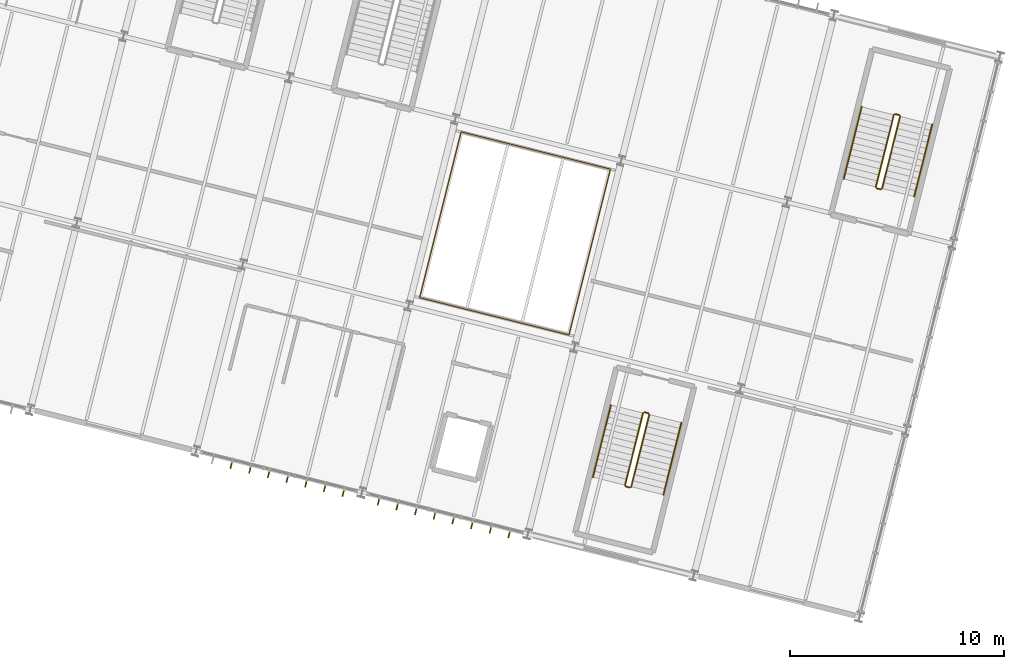
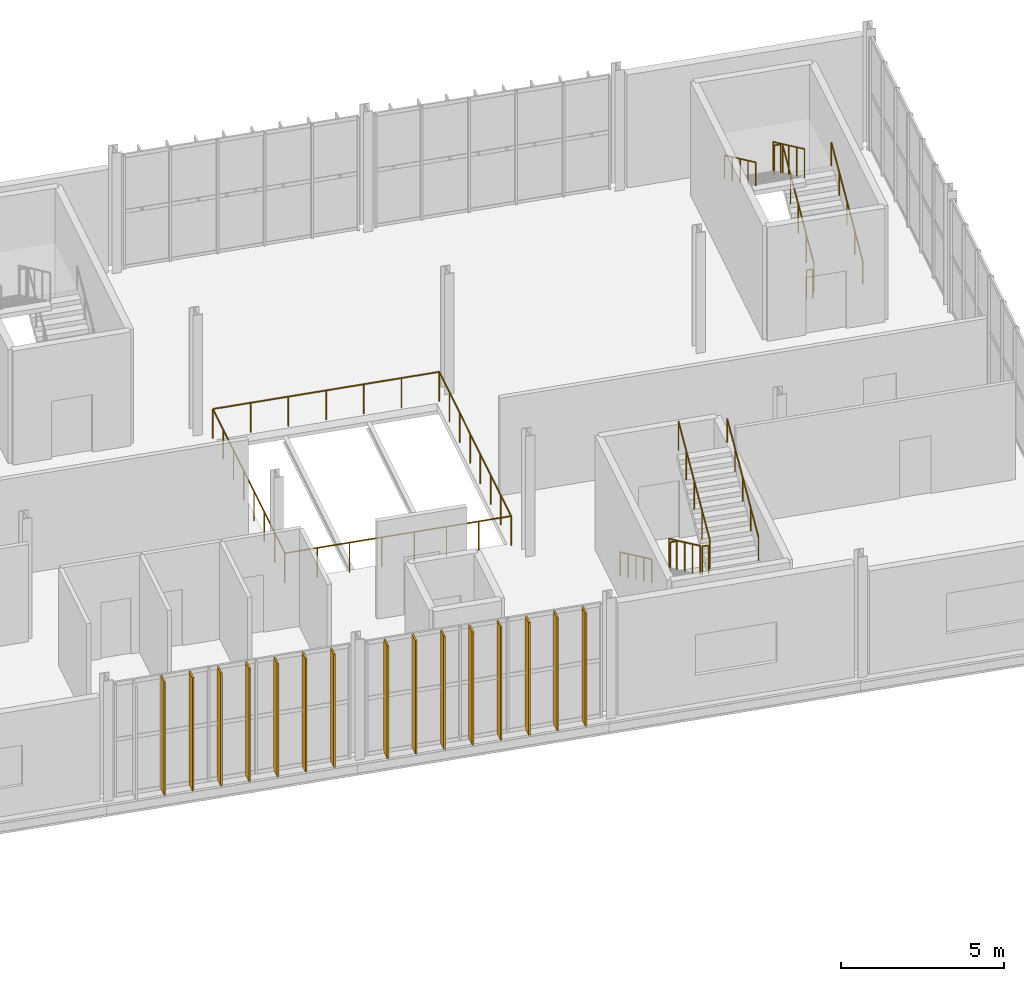
# One storey, part 151 of 152: 15 shading devices, 13 railings.
"""IFC4 building model written with IfcOpenShell, lengths in metres."""

from ifc_helpers import new_model, si_unit, derived_unit, direction, frame, origin, origin_2d, place, context, subcontext, project, spatial, rectangle, circle, extrude, material, layer, layer_set, type_object, element, save


model = new_model("IFC4")

# Units and contexts
model_context = context("Model", 3, precision=1e-05, world=origin(), true_north=direction((0.0, 1.0)))
body_context = subcontext(model_context, "Body", "Model", "MODEL_VIEW")
ifc_project = project(units=[si_unit("LENGTHUNIT", "METRE"), si_unit("AREAUNIT", "SQUARE_METRE"), si_unit("VOLUMEUNIT", "CUBIC_METRE"), si_unit("PLANEANGLEUNIT", "RADIAN"), si_unit("MASSUNIT", "GRAM", prefix="KILO"), si_unit("THERMODYNAMICTEMPERATUREUNIT", "KELVIN"), si_unit("TIMEUNIT", "SECOND"), derived_unit("THERMALTRANSMITTANCEUNIT", [(si_unit("MASSUNIT", "GRAM", prefix="KILO"), 1), (si_unit("THERMODYNAMICTEMPERATUREUNIT", "KELVIN"), -1), (si_unit("TIMEUNIT", "SECOND"), -3)])], contexts=[model_context])

# Site, building, storey
site_placement = place(None, origin())
site = spatial("IfcSite", under=ifc_project, at=site_placement, CompositionType="ELEMENT")
building_placement = place(site_placement, origin())
building = spatial("IfcBuilding", under=site, at=building_placement, Name="Cambertide Market Hall", CompositionType="ELEMENT")
storey_placement = place(building_placement, frame((0.0, 0.0, 5.39990234375)))
storey = spatial("IfcBuildingStorey", under=building, at=storey_placement, Name="L02", CompositionType="ELEMENT", Elevation=5.39990234375)

# Railings
ifc_material_1 = material(Name="Stainless Steel Grade 316", Category="metal")
railing_type_1 = type_object("IfcRailingType", Name="Interior Atrium & Void Guardrail 1120", PredefinedType="GUARDRAIL", material=ifc_material_1)
railing_1_placement = place(storey_placement, frame((149.497802734375, 99.41796875, 0.0)))
element("IfcRailing", 1, at=railing_1_placement, inside=storey, type_object=railing_type_1, Name="Level 2 V4 Atrium Void Guardrail", PredefinedType="GUARDRAIL", context=body_context, shape_type="SweptSolid", body=[
    extrude(circle(Radius=0.02392578125, at=origin_2d()), frame((0.0, 0.0, 1.09619140625), z_axis=(0.970140505527, -0.242543603371, 0.0), x_axis=(0.242543603371, 0.970140505527, 0.0)), (0.0, 0.0, 1.0), 7.2001953125),
    extrude(circle(Radius=0.02392578125, at=origin_2d()), frame((6.985107421875, -1.746337890625, 1.09619140625), z_axis=(0.242521263911, 0.970146090314, 0.0), x_axis=(-0.970146090314, 0.242521263911, 0.0)), (0.0, 0.0, 1.0), 8.0),
    extrude(circle(Radius=0.02392578125, at=origin_2d()), frame((8.92529296875, 6.014892578125, 1.09619140625), z_axis=(-0.970146489349, 0.242519667663, 0.0), x_axis=(-0.242519667663, -0.970146489349, 0.0)), (0.0, 0.0, 1.0), 7.19970703125),
    extrude(circle(Radius=0.02392578125, at=origin_2d()), frame((1.9404296875, 7.760986328125, 1.09619140625), z_axis=(-0.242557167103, -0.970137114374, 0.0), x_axis=(0.970137114374, -0.242557167103, 0.0)), (0.0, 0.0, 1.0), 8.0),
    extrude(circle(Radius=0.02099609375, at=origin_2d()), origin(), (0.0, 0.0, 1.0), 1.072021484375),
    extrude(circle(Radius=0.02099609375, at=origin_2d()), frame((0.997802734375, -0.24951171875, 0.0)), (0.0, 0.0, 1.0), 1.072021484375),
    extrude(circle(Radius=0.02099609375, at=origin_2d()), frame((1.995849609375, -0.4990234375, 0.0)), (0.0, 0.0, 1.0), 1.072021484375),
    extrude(circle(Radius=0.02099609375, at=origin_2d()), frame((2.99365234375, -0.74853515625, 0.0)), (0.0, 0.0, 1.0), 1.072021484375),
    extrude(circle(Radius=0.02099609375, at=origin_2d()), frame((3.991455078125, -0.997802734375, 0.0)), (0.0, 0.0, 1.0), 1.072021484375),
    extrude(circle(Radius=0.02099609375, at=origin_2d()), frame((4.9892578125, -1.247314453125, 0.0)), (0.0, 0.0, 1.0), 1.072021484375),
    extrude(circle(Radius=0.02099609375, at=origin_2d()), frame((5.9873046875, -1.496826171875, 0.0)), (0.0, 0.0, 1.0), 1.072021484375),
    extrude(circle(Radius=0.02099609375, at=origin_2d()), frame((6.985107421875, -1.746337890625, 0.0)), (0.0, 0.0, 1.0), 1.072021484375),
    extrude(circle(Radius=0.02099609375, at=origin_2d()), frame((7.26220703125, -0.6376953125, 0.0)), (0.0, 0.0, 1.0), 1.072021484375),
    extrude(circle(Radius=0.02099609375, at=origin_2d()), frame((7.53955078125, 0.47119140625, 0.0)), (0.0, 0.0, 1.0), 1.072021484375),
    extrude(circle(Radius=0.02099609375, at=origin_2d()), frame((7.816650390625, 1.579833984375, 0.0)), (0.0, 0.0, 1.0), 1.072021484375),
    extrude(circle(Radius=0.02099609375, at=origin_2d()), frame((8.09375, 2.688720703125, 0.0)), (0.0, 0.0, 1.0), 1.072021484375),
    extrude(circle(Radius=0.02099609375, at=origin_2d()), frame((8.370849609375, 3.79736328125, 0.0)), (0.0, 0.0, 1.0), 1.072021484375),
    extrude(circle(Radius=0.02099609375, at=origin_2d()), frame((8.648193359375, 4.90625, 0.0)), (0.0, 0.0, 1.0), 1.072021484375),
    extrude(circle(Radius=0.02099609375, at=origin_2d()), frame((8.92529296875, 6.014892578125, 0.0)), (0.0, 0.0, 1.0), 1.072021484375),
    extrude(circle(Radius=0.02099609375, at=origin_2d()), frame((7.76123046875, 6.305908203125, 0.0)), (0.0, 0.0, 1.0), 1.072021484375),
    extrude(circle(Radius=0.02099609375, at=origin_2d()), frame((6.596923828125, 6.596923828125, 0.0)), (0.0, 0.0, 1.0), 1.072021484375),
    extrude(circle(Radius=0.02099609375, at=origin_2d()), frame((5.432861328125, 6.887939453125, 0.0)), (0.0, 0.0, 1.0), 1.072021484375),
    extrude(circle(Radius=0.02099609375, at=origin_2d()), frame((4.268798828125, 7.178955078125, 0.0)), (0.0, 0.0, 1.0), 1.072021484375),
    extrude(circle(Radius=0.02099609375, at=origin_2d()), frame((3.1044921875, 7.469970703125, 0.0)), (0.0, 0.0, 1.0), 1.072021484375),
    extrude(circle(Radius=0.02099609375, at=origin_2d()), frame((1.9404296875, 7.760986328125, 0.0)), (0.0, 0.0, 1.0), 1.072021484375),
    extrude(circle(Radius=0.02099609375, at=origin_2d()), frame((1.663330078125, 6.65234375, 0.0)), (0.0, 0.0, 1.0), 1.072021484375),
    extrude(circle(Radius=0.02099609375, at=origin_2d()), frame((1.385986328125, 5.54345703125, 0.0)), (0.0, 0.0, 1.0), 1.072021484375),
    extrude(circle(Radius=0.02099609375, at=origin_2d()), frame((1.10888671875, 4.434814453125, 0.0)), (0.0, 0.0, 1.0), 1.072021484375),
    extrude(circle(Radius=0.02099609375, at=origin_2d()), frame((0.83154296875, 3.326171875, 0.0)), (0.0, 0.0, 1.0), 1.072021484375),
    extrude(circle(Radius=0.02099609375, at=origin_2d()), frame((0.554443359375, 2.217529296875, 0.0)), (0.0, 0.0, 1.0), 1.072021484375),
    extrude(circle(Radius=0.02099609375, at=origin_2d()), frame((0.277099609375, 1.108642578125, 0.0)), (0.0, 0.0, 1.0), 1.072021484375),
])
ifc_material_2 = material(Name="Stainless Steel Grade 316", Category="metal")
railing_type_2 = type_object("IfcRailingType", Name="Stair Wall Handrail 900", PredefinedType="HANDRAIL", material=ifc_material_2)
railing_2_placement = place(storey_placement, frame((158.447509765625, 94.3974609375, 0.173095703125)))
element("IfcRailing", 2, at=railing_2_placement, inside=storey, type_object=railing_type_2, Name="Level 2 ST-08A stair handrail 1", PredefinedType="HANDRAIL", context=body_context, shape_type="SweptSolid", body=[
    extrude(circle(Radius=0.02392578125, at=origin_2d()), frame((0.0, 0.0, 0.8759765625), z_axis=(-0.208310208814, -0.833060115007, 0.51246239051), x_axis=(0.970130119141, -0.242585143683, 0.0)), (0.0, 0.0, 1.0), 4.052734375),
    extrude(circle(Radius=0.02099609375, at=origin_2d()), origin(), (0.0, 0.0, 1.0), 0.851806640625),
    extrude(circle(Radius=0.02099609375, at=origin_2d()), frame((-0.2109375, -0.843994140625, 0.519287109375)), (0.0, 0.0, 1.0), 0.851806640625),
    extrude(circle(Radius=0.02099609375, at=origin_2d()), frame((-0.422119140625, -1.68798828125, 1.03857421875)), (0.0, 0.0, 1.0), 0.851806640625),
    extrude(circle(Radius=0.02099609375, at=origin_2d()), frame((-0.63330078125, -2.5322265625, 1.5576171875)), (0.0, 0.0, 1.0), 0.851806640625),
    extrude(circle(Radius=0.02099609375, at=origin_2d()), frame((-0.84423828125, -3.376220703125, 2.076904296875)), (0.0, 0.0, 1.0), 0.851806640625),
])
for number, where, name in (
    (3, (160.90185546875, 90.19677734375, 2.423095703125), "Level 2 ST-08A stair handrail 2"),
    (4, (172.6357421875, 104.1474609375, 0.173095703125), "Level 2 ST-08B stair handrail 1"),
):
    element("IfcRailing", number, at=place(storey_placement, frame(where)), inside=storey, type_object=railing_type_2, Name=name, PredefinedType="HANDRAIL", context=body_context, shape_type="SweptSolid", body=[
        extrude(circle(Radius=0.02392578125, at=origin_2d()), frame((0.0, 0.0, 0.8759765625), z_axis=(0.208263033191, 0.833052132762, 0.512494539587), x_axis=(-0.970142500145, 0.242535625036, 0.0)), (0.0, 0.0, 1.0), 4.052490234375),
        extrude(circle(Radius=0.02099609375, at=origin_2d()), origin(), (0.0, 0.0, 1.0), 0.851806640625),
        extrude(circle(Radius=0.02099609375, at=origin_2d()), frame((0.2109375, 0.843994140625, 0.519287109375)), (0.0, 0.0, 1.0), 0.851806640625),
        extrude(circle(Radius=0.02099609375, at=origin_2d()), frame((0.421875, 1.68798828125, 1.03857421875)), (0.0, 0.0, 1.0), 0.851806640625),
        extrude(circle(Radius=0.02099609375, at=origin_2d()), frame((0.633056640625, 2.531982421875, 1.5576171875)), (0.0, 0.0, 1.0), 0.851806640625),
        extrude(circle(Radius=0.02099609375, at=origin_2d()), frame((0.843994140625, 3.3759765625, 2.076904296875)), (0.0, 0.0, 1.0), 0.851806640625),
    ])
railing_3_placement = place(storey_placement, frame((170.181396484375, 108.34814453125, 2.423095703125)))
element("IfcRailing", 5, at=railing_3_placement, inside=storey, type_object=railing_type_2, Name="Level 2 ST-08B stair handrail 2", PredefinedType="HANDRAIL", context=body_context, shape_type="SweptSolid", body=[
    extrude(circle(Radius=0.02392578125, at=origin_2d()), frame((0.0, 0.0, 0.8759765625), z_axis=(-0.208310208814, -0.833060115007, 0.51246239051), x_axis=(0.970130119141, -0.242585143683, 0.0)), (0.0, 0.0, 1.0), 4.052734375),
    extrude(circle(Radius=0.02099609375, at=origin_2d()), origin(), (0.0, 0.0, 1.0), 0.851806640625),
    extrude(circle(Radius=0.02099609375, at=origin_2d()), frame((-0.2109375, -0.843994140625, 0.519287109375)), (0.0, 0.0, 1.0), 0.851806640625),
    extrude(circle(Radius=0.02099609375, at=origin_2d()), frame((-0.422119140625, -1.68798828125, 1.03857421875)), (0.0, 0.0, 1.0), 0.851806640625),
    extrude(circle(Radius=0.02099609375, at=origin_2d()), frame((-0.63330078125, -2.5322265625, 1.5576171875)), (0.0, 0.0, 1.0), 0.851806640625),
    extrude(circle(Radius=0.02099609375, at=origin_2d()), frame((-0.84423828125, -3.376220703125, 2.076904296875)), (0.0, 0.0, 1.0), 0.851806640625),
])
ifc_material_3 = material(Name="Stainless Steel Grade 316", Category="metal")
railing_type_3 = type_object("IfcRailingType", Name="Stairwell Inner Guardrail 1100", PredefinedType="GUARDRAIL", material=ifc_material_3)
railing_4_placement = place(storey_placement, frame((159.951171875, 94.021484375, 0.173095703125)))
element("IfcRailing", 6, at=railing_4_placement, inside=storey, type_object=railing_type_3, Name="Level 2 ST-08A stair guard 1", PredefinedType="GUARDRAIL", context=body_context, shape_type="SweptSolid", body=[
    extrude(circle(Radius=0.02392578125, at=origin_2d()), frame((0.0, 0.0, 1.076171875), z_axis=(-0.208263033191, -0.833052132762, 0.512494539587), x_axis=(0.970142500145, -0.242535625036, 0.0)), (0.0, 0.0, 1.0), 4.052490234375),
    extrude(circle(Radius=0.02099609375, at=origin_2d()), origin(), (0.0, 0.0, 1.0), 1.052001953125),
    extrude(circle(Radius=0.02099609375, at=origin_2d()), frame((-0.2109375, -0.843994140625, 0.519287109375)), (0.0, 0.0, 1.0), 1.052001953125),
    extrude(circle(Radius=0.02099609375, at=origin_2d()), frame((-0.421875, -1.68798828125, 1.03857421875)), (0.0, 0.0, 1.0), 1.052001953125),
    extrude(circle(Radius=0.02099609375, at=origin_2d()), frame((-0.633056640625, -2.531982421875, 1.5576171875)), (0.0, 0.0, 1.0), 1.052001953125),
    extrude(circle(Radius=0.02099609375, at=origin_2d()), frame((-0.843994140625, -3.3759765625, 2.076904296875)), (0.0, 0.0, 1.0), 1.052001953125),
])
railing_5_placement = place(storey_placement, frame((159.1435546875, 90.584716796875, 2.25)))
element("IfcRailing", 7, at=railing_5_placement, inside=storey, type_object=railing_type_3, Name="Level 2 ST-08A stair guard 2", PredefinedType="GUARDRAIL", context=body_context, shape_type="SweptSolid", body=[
    extrude(circle(Radius=0.02392578125, at=origin_2d()), frame((0.0, 0.0, 1.076171875), z_axis=(0.970286097091, -0.241960512877, 0.0), x_axis=(0.241960512877, 0.970286097091, 0.0)), (0.0, 0.0, 1.0), 0.19970703125),
    extrude(circle(Radius=0.02099609375, at=origin_2d()), origin(), (0.0, 0.0, 1.0), 1.052001953125),
    extrude(circle(Radius=0.02099609375, at=origin_2d()), frame((0.19384765625, -0.04833984375, 0.0)), (0.0, 0.0, 1.0), 1.052001953125),
])
railing_6_placement = place(storey_placement, frame((159.398193359375, 90.57275390625, 2.423095703125)))
element("IfcRailing", 8, at=railing_6_placement, inside=storey, type_object=railing_type_3, Name="Level 2 ST-08A stair guard 3", PredefinedType="GUARDRAIL", context=body_context, shape_type="SweptSolid", body=[
    extrude(circle(Radius=0.02392578125, at=origin_2d()), frame((0.0, 0.0, 1.076171875), z_axis=(0.208263033191, 0.833052132762, 0.512494539587), x_axis=(-0.970142500145, 0.242535625036, 0.0)), (0.0, 0.0, 1.0), 4.052490234375),
    extrude(circle(Radius=0.02099609375, at=origin_2d()), origin(), (0.0, 0.0, 1.0), 1.052001953125),
    extrude(circle(Radius=0.02099609375, at=origin_2d()), frame((0.2109375, 0.843994140625, 0.519287109375)), (0.0, 0.0, 1.0), 1.052001953125),
    extrude(circle(Radius=0.02099609375, at=origin_2d()), frame((0.421875, 1.68798828125, 1.03857421875)), (0.0, 0.0, 1.0), 1.052001953125),
    extrude(circle(Radius=0.02099609375, at=origin_2d()), frame((0.633056640625, 2.531982421875, 1.5576171875)), (0.0, 0.0, 1.0), 1.052001953125),
    extrude(circle(Radius=0.02099609375, at=origin_2d()), frame((0.843994140625, 3.3759765625, 2.076904296875)), (0.0, 0.0, 1.0), 1.052001953125),
])
railing_7_placement = place(storey_placement, frame((160.01171875, 94.057861328125, 0.0)))
element("IfcRailing", 9, at=railing_7_placement, inside=storey, type_object=railing_type_3, Name="Level 2 ST-08A stair guard 4", PredefinedType="GUARDRAIL", context=body_context, shape_type="SweptSolid", body=[
    extrude(circle(Radius=0.02392578125, at=origin_2d()), frame((0.0, 0.0, 1.076171875), z_axis=(0.970070680326, -0.242822723755, 0.0), x_axis=(0.242822723755, 0.970070680326, 0.0)), (0.0, 0.0, 1.0), 0.2001953125),
    extrude(circle(Radius=0.02099609375, at=origin_2d()), origin(), (0.0, 0.0, 1.0), 1.052001953125),
    extrude(circle(Radius=0.02099609375, at=origin_2d()), frame((0.194091796875, -0.048583984375, 0.0)), (0.0, 0.0, 1.0), 1.052001953125),
])
railing_8_placement = place(storey_placement, frame((171.132080078125, 104.523193359375, 0.173095703125)))
element("IfcRailing", 10, at=railing_8_placement, inside=storey, type_object=railing_type_3, Name="Level 2 ST-08B stair guard 1", PredefinedType="GUARDRAIL", context=body_context, shape_type="SweptSolid", body=[
    extrude(circle(Radius=0.02392578125, at=origin_2d()), frame((0.0, 0.0, 1.076171875), z_axis=(0.208252581653, 0.833070567451, 0.5124688204), x_axis=(-0.970146626655, 0.2425191184, 0.0)), (0.0, 0.0, 1.0), 4.052734375),
    extrude(circle(Radius=0.02099609375, at=origin_2d()), origin(), (0.0, 0.0, 1.0), 1.052001953125),
    extrude(circle(Radius=0.02099609375, at=origin_2d()), frame((0.2109375, 0.843994140625, 0.519287109375)), (0.0, 0.0, 1.0), 1.052001953125),
    extrude(circle(Radius=0.02099609375, at=origin_2d()), frame((0.421875, 1.68798828125, 1.03857421875)), (0.0, 0.0, 1.0), 1.052001953125),
    extrude(circle(Radius=0.02099609375, at=origin_2d()), frame((0.633056640625, 2.5322265625, 1.5576171875)), (0.0, 0.0, 1.0), 1.052001953125),
    extrude(circle(Radius=0.02099609375, at=origin_2d()), frame((0.843994140625, 3.376220703125, 2.076904296875)), (0.0, 0.0, 1.0), 1.052001953125),
])
railing_9_placement = place(storey_placement, frame((171.939697265625, 107.9599609375, 2.25)))
element("IfcRailing", 11, at=railing_9_placement, inside=storey, type_object=railing_type_3, Name="Level 2 ST-08B stair guard 2", PredefinedType="GUARDRAIL", context=body_context, shape_type="SweptSolid", body=[
    extrude(circle(Radius=0.02392578125, at=origin_2d()), frame((0.0, 0.0, 1.076171875), z_axis=(-0.970070680326, 0.242822723755, 0.0), x_axis=(-0.242822723755, -0.970070680326, 0.0)), (0.0, 0.0, 1.0), 0.2001953125),
    extrude(circle(Radius=0.02099609375, at=origin_2d()), origin(), (0.0, 0.0, 1.0), 1.052001953125),
    extrude(circle(Radius=0.02099609375, at=origin_2d()), frame((-0.194091796875, 0.048583984375, 0.0)), (0.0, 0.0, 1.0), 1.052001953125),
])
railing_10_placement = place(storey_placement, frame((171.68505859375, 107.97216796875, 2.423095703125)))
element("IfcRailing", 12, at=railing_10_placement, inside=storey, type_object=railing_type_3, Name="Level 2 ST-08B stair guard 3", PredefinedType="GUARDRAIL", context=body_context, shape_type="SweptSolid", body=[
    extrude(circle(Radius=0.02392578125, at=origin_2d()), frame((0.0, 0.0, 1.076171875), z_axis=(-0.208252581653, -0.833070567451, 0.5124688204), x_axis=(0.970146626655, -0.2425191184, 0.0)), (0.0, 0.0, 1.0), 4.052734375),
    extrude(circle(Radius=0.02099609375, at=origin_2d()), origin(), (0.0, 0.0, 1.0), 1.052001953125),
    extrude(circle(Radius=0.02099609375, at=origin_2d()), frame((-0.2109375, -0.843994140625, 0.519287109375)), (0.0, 0.0, 1.0), 1.052001953125),
    extrude(circle(Radius=0.02099609375, at=origin_2d()), frame((-0.421875, -1.68798828125, 1.03857421875)), (0.0, 0.0, 1.0), 1.052001953125),
    extrude(circle(Radius=0.02099609375, at=origin_2d()), frame((-0.633056640625, -2.5322265625, 1.5576171875)), (0.0, 0.0, 1.0), 1.052001953125),
    extrude(circle(Radius=0.02099609375, at=origin_2d()), frame((-0.843994140625, -3.376220703125, 2.076904296875)), (0.0, 0.0, 1.0), 1.052001953125),
])
railing_11_placement = place(storey_placement, frame((171.0712890625, 104.48681640625, 0.0)))
element("IfcRailing", 13, at=railing_11_placement, inside=storey, type_object=railing_type_3, Name="Level 2 ST-08B stair guard 4", PredefinedType="GUARDRAIL", context=body_context, shape_type="SweptSolid", body=[
    extrude(circle(Radius=0.02392578125, at=origin_2d()), frame((0.0, 0.0, 1.076171875), z_axis=(-0.969998605015, 0.24311048161, 0.0), x_axis=(-0.24311048161, -0.969998605015, 0.0)), (0.0, 0.0, 1.0), 0.199951171875),
    extrude(circle(Radius=0.02099609375, at=origin_2d()), origin(), (0.0, 0.0, 1.0), 1.052001953125),
    extrude(circle(Radius=0.02099609375, at=origin_2d()), frame((-0.19384765625, 0.048583984375, 0.0)), (0.0, 0.0, 1.0), 1.052001953125),
])

# Shading devices
ifc_material_4 = material(Name="Champagne Marine Anodized Aluminium 6063-T6 AA25", Category="aluminium")
ifc_layer = layer(ifc_material_4, 0.054931640625, Name="Wing Facade Vertical Sun Fin 380x55")
ifc_layer_set = layer_set([ifc_layer], Name="Champagne Marine Anodized Aluminium 6063-T6 AA25")
shading_device_type = type_object("IfcShadingDeviceType", Name="Wing Facade Vertical Sun Fin 380x55", PredefinedType="JALOUSIE", material=ifc_layer_set)
for number, where, z_axis, x_axis, name in (
    (14, (145.93017578125, 90.301025390625, 0.0), (0.0, 0.0, 1.0), (-0.970142531436, 0.242535499875, 0.0), "CW-V4S-L02-5 Vertical Fin 1"),
    (15, (145.05712890625, 90.519287109375, 0.0), (0.0, 0.0, 1.0), (-0.970142531436, 0.242535499875, 0.0), "CW-V4S-L02-5 Vertical Fin 2"),
    (16, (144.183837890625, 90.737548828125, 0.0), (0.0, 0.0, 1.0), (-0.970142531436, 0.242535499875, 0.0), "CW-V4S-L02-5 Vertical Fin 3"),
    (17, (143.310791015625, 90.955810546875, 0.0), (0.0, 0.0, 1.0), (-0.970142531436, 0.242535499875, 0.0), "CW-V4S-L02-5 Vertical Fin 4"),
    (18, (142.437744140625, 91.174072265625, 0.0), (0.0, 0.0, 1.0), (-0.970142531436, 0.242535499875, 0.0), "CW-V4S-L02-5 Vertical Fin 5"),
    (19, (141.564453125, 91.392333984375, 0.0), (0.0, 0.0, 1.0), (-0.970142531436, 0.242535499875, 0.0), "CW-V4S-L02-5 Vertical Fin 6"),
    (20, (140.69140625, 91.610595703125, 0.0), (0.0, 0.0, 1.0), (-0.970142531436, 0.242535499875, 0.0), "CW-V4S-L02-5 Vertical Fin 7"),
    (21, (153.69140625, 88.360595703125, 0.0), (0.0, 0.0, 1.0), (-0.970142531436, 0.242535499875, 0.0), "CW-V4S-L02-6 Vertical Fin 1"),
    (22, (152.818115234375, 88.5791015625, 0.0), (0.0, 0.0, 1.0), (-0.970142531436, 0.242535499875, 0.0), "CW-V4S-L02-6 Vertical Fin 2"),
    (23, (151.945068359375, 88.79736328125, 0.0), (0.0, 0.0, 1.0), (-0.970142531436, 0.242535499875, 0.0), "CW-V4S-L02-6 Vertical Fin 3"),
    (24, (151.072021484375, 89.015625, 0.0), (0.0, 0.0, 1.0), (-0.970142531436, 0.242535499875, 0.0), "CW-V4S-L02-6 Vertical Fin 4"),
    (25, (150.19873046875, 89.23388671875, 0.0), (0.0, 0.0, 1.0), (-0.970142531436, 0.242535499875, 0.0), "CW-V4S-L02-6 Vertical Fin 5"),
    (26, (149.32568359375, 89.4521484375, 0.0), (0.0, 0.0, 1.0), (-0.970142531436, 0.242535499875, 0.0), "CW-V4S-L02-6 Vertical Fin 6"),
    (27, (148.45263671875, 89.67041015625, 0.0), (0.0, 0.0, 1.0), (-0.970142531436, 0.242535499875, 0.0), "CW-V4S-L02-6 Vertical Fin 7"),
    (28, (147.579345703125, 89.888671875, 0.0), (0.0, 0.0, 1.0), (-0.970142531436, 0.242535499875, 0.0), "CW-V4S-L02-6 Vertical Fin 8"),
):
    element("IfcShadingDevice", number, at=place(storey_placement, frame(where, z_axis=z_axis, x_axis=x_axis)), inside=storey, type_object=shading_device_type, Name=name, PredefinedType="JALOUSIE", context=body_context, shape_type="SweptSolid", body=[
        extrude(rectangle(XDim=0.054931640625, YDim=0.3798828125, at=origin_2d()), origin(), (0.0, 0.0, 1.0), 4.219970703125),
    ])

save(model, "model.ifc")
